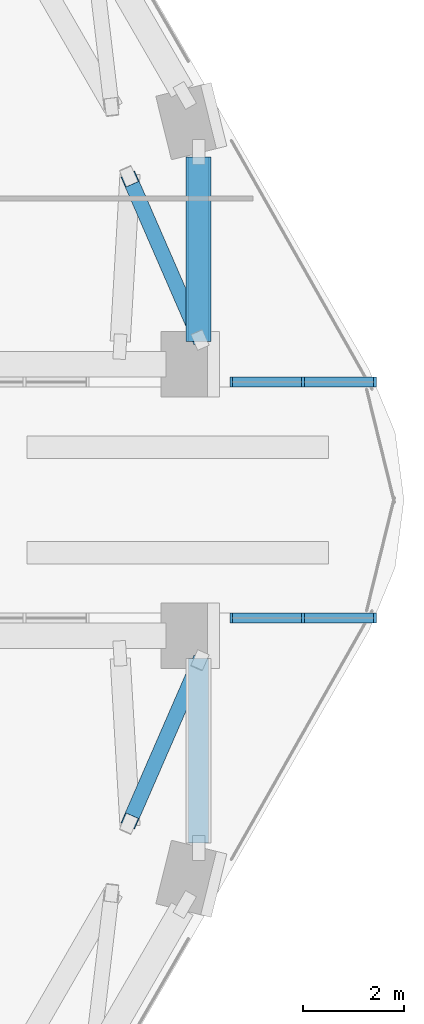
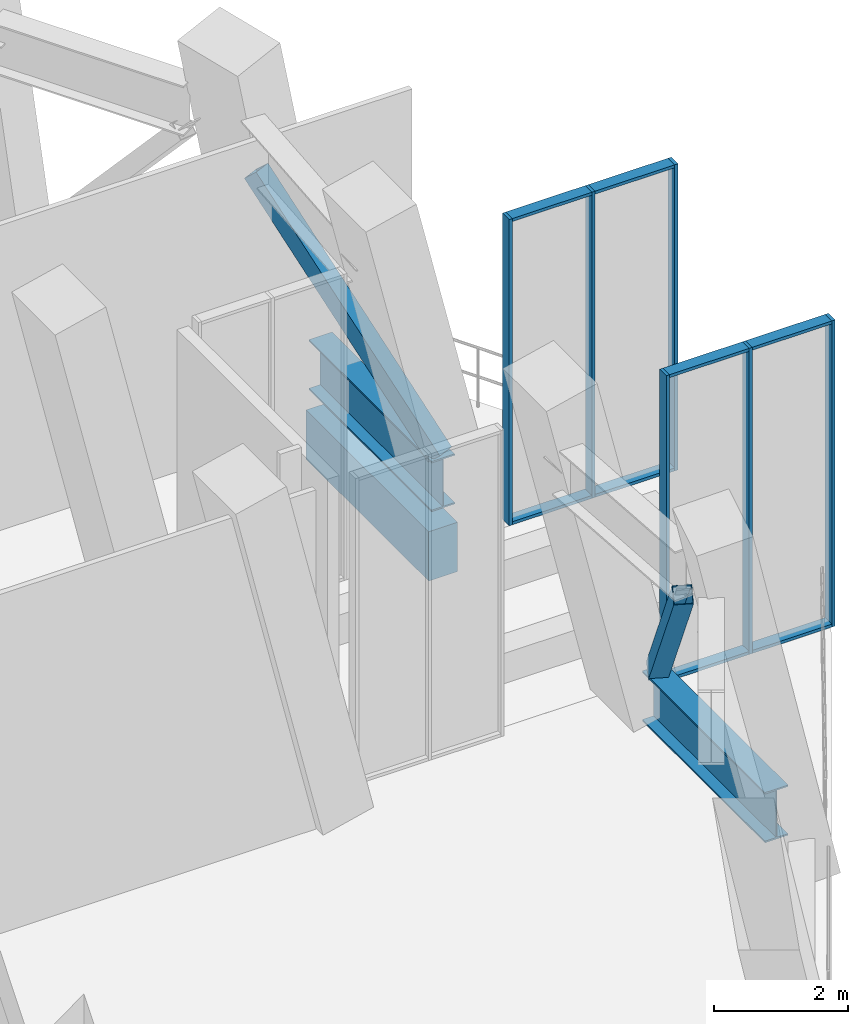
# One storey, part 5 of 19: 18 members, 1 beam, 2 elements without a shape of their own.
"""IFC4 building model written with IfcOpenShell, lengths in metres."""

from ifc_helpers import new_model, si_unit, direction, frame, origin, origin_2d, place, context, subcontext, project, spatial, rectangle, hollow_rectangle, i_section, extrude, material, layer, layer_set, material_profile, profile_set, type_object, element, aggregate, save


model = new_model("IFC4")

# Units and contexts
model_context = context("Model", 3, precision=1e-05, world=origin(), true_north=direction((0.0, 1.0)))
body_context = subcontext(model_context, "Body", "Model", "MODEL_VIEW")
ifc_project = project(units=[si_unit("LENGTHUNIT", "METRE"), si_unit("AREAUNIT", "SQUARE_METRE"), si_unit("VOLUMEUNIT", "CUBIC_METRE"), si_unit("PLANEANGLEUNIT", "RADIAN"), si_unit("MASSUNIT", "GRAM", prefix="KILO")], contexts=[model_context])

# Site, building, storey
site_placement = place(None, origin())
site = spatial("IfcSite", under=ifc_project, at=site_placement, CompositionType="ELEMENT")
building_placement = place(site_placement, origin())
building = spatial("IfcBuilding", under=site, at=building_placement, Name="Nakaniwa Court", CompositionType="ELEMENT")
storey_placement = place(building_placement, frame((0.0, 0.0, 170.10009765625)))
storey = spatial("IfcBuildingStorey", under=building, at=storey_placement, Name="S3", CompositionType="ELEMENT", Elevation=170.10009765625)

# Curtain wall, members
ifc_material_1 = material(Name="Black anodised aluminium frame with dark low-E laminated double glazing", Category="aluminium")
ifc_layer = layer(ifc_material_1, 0.199951171875)
ifc_layer_set = layer_set([ifc_layer], Name="Black anodised aluminium frame with dark low-E laminated double glazing")
curtain_wall_type = type_object("IfcCurtainWallType", Name="Amenity and sky level curtain wall", PredefinedType="NOTDEFINED", material=ifc_layer_set)
curtain_wall_1_placement = place(storey_placement, origin())
curtain_wall_1 = element("IfcCurtainWall", 1, at=curtain_wall_1_placement, inside=storey, type_object=curtain_wall_type, Name="S3 curtain wall CW3 01", PredefinedType="NOTDEFINED")
ifc_material_2 = material(Name="Black anodised aluminium extrusion", Category="aluminium")
ifc_material_profile_1 = material_profile(ifc_material_2, rectangle(XDim=0.199951171875, YDim=0.054931640625, at=origin_2d()), Name="Amenity and sky level curtain wall mullion 55x200")
ifc_profile_set_1 = profile_set([ifc_material_profile_1], Name="Black anodised aluminium extrusion")
member_type_1 = type_object("IfcMemberType", Name="Amenity and sky level curtain wall mullion 55x200", PredefinedType="MULLION", material=ifc_profile_set_1)
member_1_placement = place(storey_placement, frame((103.470703125, 82.35009765625, 0.0), z_axis=(0.0, 0.0, 1.0), x_axis=(0.0, 1.0, 0.0)))
member_1 = element("IfcMember", 2, at=member_1_placement, type_object=member_type_1, Name="CW3 mullion 1", PredefinedType="MULLION", context=body_context, shape_type="SweptSolid", body=[
    extrude(rectangle(XDim=0.199951171875, YDim=0.054931640625, at=origin_2d()), origin(), (0.0, 0.0, 1.0), 5.58984375),
])
member_2_placement = place(storey_placement, frame((104.89990234375, 82.35009765625, 0.0), z_axis=(0.0, 0.0, 1.0), x_axis=(0.0, 1.0, 0.0)))
member_2 = element("IfcMember", 3, at=member_2_placement, type_object=member_type_1, Name="CW3 mullion 2", PredefinedType="MULLION", context=body_context, shape_type="SweptSolid", body=[
    extrude(rectangle(XDim=0.199951171875, YDim=0.054931640625, at=origin_2d()), origin(), (0.0, 0.0, 1.0), 5.58984375),
])
member_3_placement = place(storey_placement, frame((106.3291015625, 82.35009765625, 0.0), z_axis=(0.0, 0.0, 1.0), x_axis=(0.0, 1.0, 0.0)))
member_3 = element("IfcMember", 4, at=member_3_placement, type_object=member_type_1, Name="CW3 mullion 3", PredefinedType="MULLION", context=body_context, shape_type="SweptSolid", body=[
    extrude(rectangle(XDim=0.199951171875, YDim=0.054931640625, at=origin_2d()), origin(), (0.0, 0.0, 1.0), 5.58984375),
])

curtain_wall_2_placement = place(storey_placement, origin())
curtain_wall_2 = element("IfcCurtainWall", 5, at=curtain_wall_2_placement, inside=storey, type_object=curtain_wall_type, Name="S3 curtain wall CW3 33", PredefinedType="NOTDEFINED")
member_4_placement = place(storey_placement, frame((106.3291015625, 77.64990234375, 0.0), z_axis=(0.0, 0.0, 1.0), x_axis=(0.0, -1.0, 0.0)))
member_4 = element("IfcMember", 6, at=member_4_placement, type_object=member_type_1, Name="CW3 mullion 1", PredefinedType="MULLION", context=body_context, shape_type="SweptSolid", body=[
    extrude(rectangle(XDim=0.199951171875, YDim=0.054931640625, at=origin_2d()), origin(), (0.0, 0.0, 1.0), 5.58984375),
])
member_5_placement = place(storey_placement, frame((104.89990234375, 77.64990234375, 0.0), z_axis=(0.0, 0.0, 1.0), x_axis=(0.0, -1.0, 0.0)))
member_5 = element("IfcMember", 7, at=member_5_placement, type_object=member_type_1, Name="CW3 mullion 2", PredefinedType="MULLION", context=body_context, shape_type="SweptSolid", body=[
    extrude(rectangle(XDim=0.199951171875, YDim=0.054931640625, at=origin_2d()), origin(), (0.0, 0.0, 1.0), 5.58984375),
])
member_6_placement = place(storey_placement, frame((103.470703125, 77.64990234375, 0.0), z_axis=(0.0, 0.0, 1.0), x_axis=(0.0, -1.0, 0.0)))
member_6 = element("IfcMember", 8, at=member_6_placement, type_object=member_type_1, Name="CW3 mullion 3", PredefinedType="MULLION", context=body_context, shape_type="SweptSolid", body=[
    extrude(rectangle(XDim=0.199951171875, YDim=0.054931640625, at=origin_2d()), origin(), (0.0, 0.0, 1.0), 5.58984375),
])

# Member
ifc_material_profile_2 = material_profile(ifc_material_2, rectangle(XDim=0.199951171875, YDim=0.054931640625, at=origin_2d()), Name="Amenity and sky level curtain wall transom 55x200")
ifc_profile_set_2 = profile_set([ifc_material_profile_2], Name="Black anodised aluminium extrusion")
member_type_2 = type_object("IfcMemberType", Name="Amenity and sky level curtain wall transom 55x200", PredefinedType="USERDEFINED", material=ifc_profile_set_2)
member_7_placement = place(storey_placement, frame((103.498291015625, 82.35009765625, 0.02734375), z_axis=(1.0, 0.0, 0.0), x_axis=(0.0, 1.0, 0.0)))
member_7 = element("IfcMember", 9, at=member_7_placement, type_object=member_type_2, Name="CW3 transom 1.1", ObjectType="TRANSOM", PredefinedType="USERDEFINED", context=body_context, shape_type="SweptSolid", body=[
    extrude(rectangle(XDim=0.199951171875, YDim=0.054931640625, at=origin_2d()), origin(), (0.0, 0.0, 1.0), 1.374267578125),
])

member_8_placement = place(storey_placement, frame((103.498291015625, 82.35009765625, 5.5625), z_axis=(1.0, 0.0, 0.0), x_axis=(0.0, 1.0, 0.0)))
member_8 = element("IfcMember", 10, at=member_8_placement, type_object=member_type_2, Name="CW3 transom 1.2", ObjectType="TRANSOM", PredefinedType="USERDEFINED", context=body_context, shape_type="SweptSolid", body=[
    extrude(rectangle(XDim=0.199951171875, YDim=0.054931640625, at=origin_2d()), origin(), (0.0, 0.0, 1.0), 1.374267578125),
])

member_9_placement = place(storey_placement, frame((104.927490234375, 82.35009765625, 0.02734375), z_axis=(1.0, 0.0, 0.0), x_axis=(0.0, 1.0, 0.0)))
member_9 = element("IfcMember", 11, at=member_9_placement, type_object=member_type_2, Name="CW3 transom 2.1", ObjectType="TRANSOM", PredefinedType="USERDEFINED", context=body_context, shape_type="SweptSolid", body=[
    extrude(rectangle(XDim=0.199951171875, YDim=0.054931640625, at=origin_2d()), origin(), (0.0, 0.0, 1.0), 1.374267578125),
])

member_10_placement = place(storey_placement, frame((104.927490234375, 82.35009765625, 5.5625), z_axis=(1.0, 0.0, 0.0), x_axis=(0.0, 1.0, 0.0)))
member_10 = element("IfcMember", 12, at=member_10_placement, type_object=member_type_2, Name="CW3 transom 2.2", ObjectType="TRANSOM", PredefinedType="USERDEFINED", context=body_context, shape_type="SweptSolid", body=[
    extrude(rectangle(XDim=0.199951171875, YDim=0.054931640625, at=origin_2d()), origin(), (0.0, 0.0, 1.0), 1.374267578125),
])

aggregate(curtain_wall_1, [member_1, member_2, member_3, member_7, member_8, member_9, member_10])

member_11_placement = place(storey_placement, frame((106.3017578125, 77.64990234375, 0.02734375), z_axis=(-1.0, 0.0, 0.0), x_axis=(0.0, -1.0, 0.0)))
member_11 = element("IfcMember", 13, at=member_11_placement, type_object=member_type_2, Name="CW3 transom 1.1", ObjectType="TRANSOM", PredefinedType="USERDEFINED", context=body_context, shape_type="SweptSolid", body=[
    extrude(rectangle(XDim=0.199951171875, YDim=0.054931640625, at=origin_2d()), origin(), (0.0, 0.0, 1.0), 1.374267578125),
])

member_12_placement = place(storey_placement, frame((106.3017578125, 77.64990234375, 5.5625), z_axis=(-1.0, 0.0, 0.0), x_axis=(0.0, -1.0, 0.0)))
member_12 = element("IfcMember", 14, at=member_12_placement, type_object=member_type_2, Name="CW3 transom 1.2", ObjectType="TRANSOM", PredefinedType="USERDEFINED", context=body_context, shape_type="SweptSolid", body=[
    extrude(rectangle(XDim=0.199951171875, YDim=0.054931640625, at=origin_2d()), origin(), (0.0, 0.0, 1.0), 1.374267578125),
])

member_13_placement = place(storey_placement, frame((104.87255859375, 77.64990234375, 0.02734375), z_axis=(-1.0, 0.0, 0.0), x_axis=(0.0, -1.0, 0.0)))
member_13 = element("IfcMember", 15, at=member_13_placement, type_object=member_type_2, Name="CW3 transom 2.1", ObjectType="TRANSOM", PredefinedType="USERDEFINED", context=body_context, shape_type="SweptSolid", body=[
    extrude(rectangle(XDim=0.199951171875, YDim=0.054931640625, at=origin_2d()), origin(), (0.0, 0.0, 1.0), 1.374267578125),
])

member_14_placement = place(storey_placement, frame((104.87255859375, 77.64990234375, 5.5625), z_axis=(-1.0, 0.0, 0.0), x_axis=(0.0, -1.0, 0.0)))
member_14 = element("IfcMember", 16, at=member_14_placement, type_object=member_type_2, Name="CW3 transom 2.2", ObjectType="TRANSOM", PredefinedType="USERDEFINED", context=body_context, shape_type="SweptSolid", body=[
    extrude(rectangle(XDim=0.199951171875, YDim=0.054931640625, at=origin_2d()), origin(), (0.0, 0.0, 1.0), 1.374267578125),
])

aggregate(curtain_wall_2, [member_4, member_5, member_6, member_11, member_12, member_13, member_14])

# Members
ifc_material_3 = material(Name="Steel Grade 350", Category="steel")
ifc_material_profile_3 = material_profile(ifc_material_3, i_section(OverallWidth=0.39990234375, OverallDepth=0.916015625, WebThickness=0.011962890625, FlangeThickness=0.028076171875, at=origin_2d()), Name="900WB257")
ifc_profile_set_3 = profile_set([ifc_material_profile_3], Name="Steel Grade 350")
member_type_3 = type_object("IfcMemberType", Name="BELT chord 900 WB257", PredefinedType="CHORD", material=ifc_profile_set_3)
for number, where, z_axis, x_axis, name in (
    (17, (102.822998046875, 73.180908203125, 0.4580078125), (0.0, 1.0, 0.0), (-1.0, 0.0, 0.0), "BELT CHORD BT-16-B"),
    (18, (102.822998046875, 83.14990234375, 0.4580078125), (0.0, 1.0, 0.0), (-1.0, 0.0, 0.0), "BELT CHORD BT-17-B"),
):
    element("IfcMember", number, at=place(storey_placement, frame(where, z_axis=z_axis, x_axis=x_axis)), inside=storey, type_object=member_type_3, Name=name, PredefinedType="CHORD", context=body_context, shape_type="SweptSolid", body=[
        extrude(i_section(OverallWidth=0.39990234375, OverallDepth=0.916015625, WebThickness=0.011962890625, FlangeThickness=0.028076171875, at=origin_2d()), origin(), (0.0, 0.0, 1.0), 3.669189453125),
    ])
ifc_material_profile_4 = material_profile(ifc_material_3, hollow_rectangle(XDim=0.300048828125, YDim=0.300048828125, WallThickness=0.010009765625, at=origin_2d()), Name="BELT diagonal 300x300x10 SHS")
ifc_profile_set_4 = profile_set([ifc_material_profile_4], Name="Steel Grade 350")
member_type_4 = type_object("IfcMemberType", Name="BELT diagonal 300x300x10 SHS", PredefinedType="BRACE", material=ifc_profile_set_4)
for number, where, z_axis, x_axis, name in (
    (19, (101.458984375, 73.618408203125, 4.673828125), (0.268599510632, 0.616668323408, -0.739982757768), (-0.916807366579, 0.399329754196, 0.0), "BELT DIAGONAL BT-16-D"),
    (20, (102.822998046875, 83.25, 0.916015625), (-0.268599510632, 0.616668323408, 0.739982757768), (-0.916807366579, -0.399329754196, 0.0), "BELT DIAGONAL BT-17-D"),
):
    element("IfcMember", number, at=place(storey_placement, frame(where, z_axis=z_axis, x_axis=x_axis)), inside=storey, type_object=member_type_4, Name=name, PredefinedType="BRACE", context=body_context, shape_type="SweptSolid", body=[
        extrude(hollow_rectangle(XDim=0.300048828125, YDim=0.300048828125, WallThickness=0.010009765625, at=origin_2d()), origin(), (0.0, 0.0, 1.0), 5.078125),
    ])

# Beam
ifc_material_4 = material(Name="Concrete C80/100", Category="concrete")
ifc_material_profile_5 = material_profile(ifc_material_4, rectangle(XDim=0.5, YDim=0.89990234375, at=origin_2d()), Name="Concrete C80/100 RC 500x900 spandrel beam")
ifc_profile_set_5 = profile_set([ifc_material_profile_5], Name="Concrete C80/100")
beam_type = type_object("IfcBeamType", Name="Concrete C80/100 RC 500x900 spandrel beam", PredefinedType="BEAM", material=ifc_profile_set_5)
beam_placement = place(storey_placement, frame((102.822998046875, 83.14990234375, -0.800048828125), z_axis=(0.0, 1.0, 0.0), x_axis=(-1.0, 0.0, 0.0)))
element("IfcBeam", 21, at=beam_placement, inside=storey, type_object=beam_type, Name="SPANDREL BEAM", PredefinedType="BEAM", context=body_context, shape_type="SweptSolid", body=[
    extrude(rectangle(XDim=0.5, YDim=0.89990234375, at=origin_2d()), origin(), (0.0, 0.0, 1.0), 3.669189453125),
])

save(model, "model.ifc")
